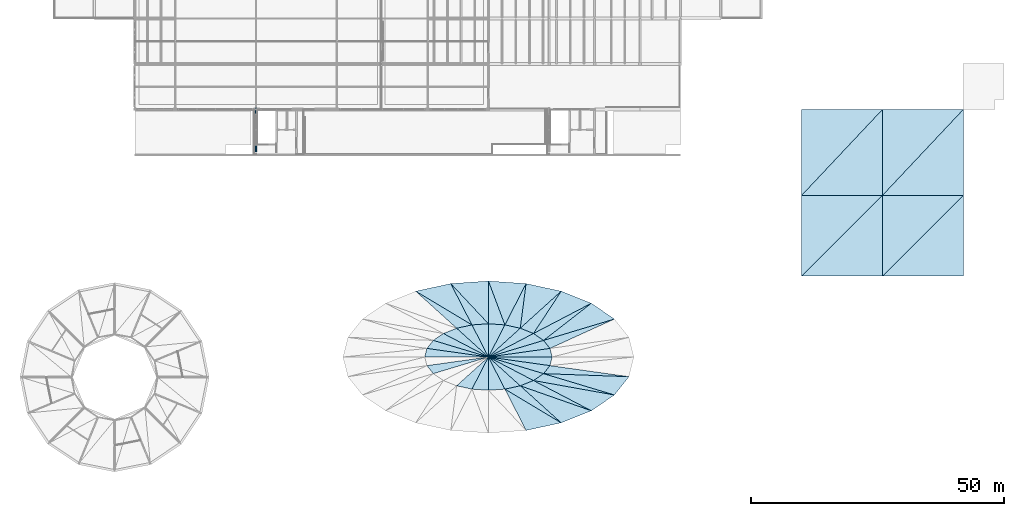
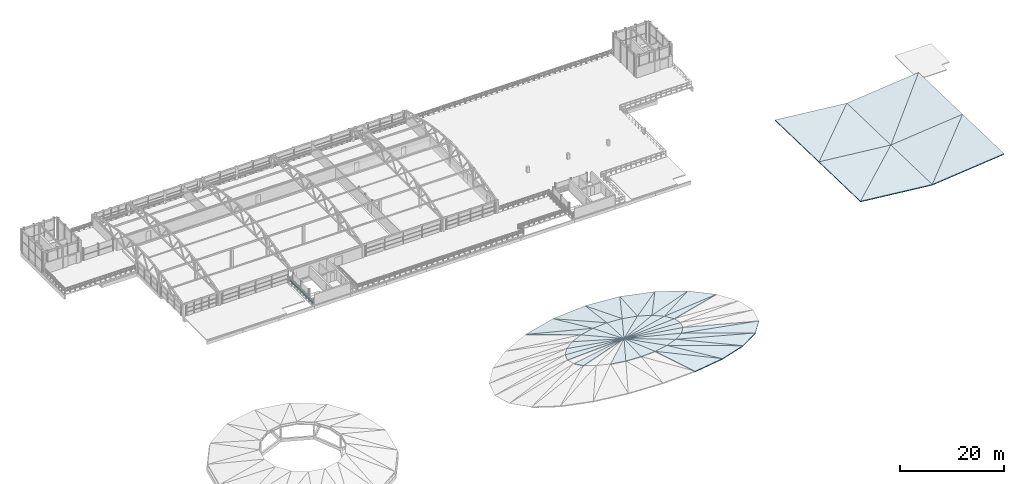
# One storey, part 41 of 50: 50 roofs, 1 discrete accessory.
"""IFC4 building model written with IfcOpenShell, lengths in metres."""

from ifc_helpers import new_model, si_unit, derived_unit, direction, frame, origin, origin_2d, place, context, subcontext, project, spatial, rectangle, extrude, polygons, material, layer, layer_set, type_object, element, save


model = new_model("IFC4")

# Units and contexts
model_context = context("Model", 3, precision=1e-05, world=origin(), true_north=direction((0.0, 1.0)))
body_context = subcontext(model_context, "Body", "Model", "MODEL_VIEW")
ifc_project = project(units=[si_unit("LENGTHUNIT", "METRE"), si_unit("AREAUNIT", "SQUARE_METRE"), si_unit("VOLUMEUNIT", "CUBIC_METRE"), si_unit("PLANEANGLEUNIT", "RADIAN"), si_unit("MASSUNIT", "GRAM", prefix="KILO"), si_unit("THERMODYNAMICTEMPERATUREUNIT", "KELVIN"), derived_unit("THERMALTRANSMITTANCEUNIT", [(si_unit("POWERUNIT", "WATT"), 1), (si_unit("AREAUNIT", "SQUARE_METRE"), -1), (si_unit("THERMODYNAMICTEMPERATUREUNIT", "KELVIN"), -1)])], contexts=[model_context])

# Site, building, storey
site_placement = place(None, origin())
site = spatial("IfcSite", under=ifc_project, at=site_placement, CompositionType="ELEMENT")
building_placement = place(site_placement, origin())
building = spatial("IfcBuilding", under=site, at=building_placement, Name="Haiyu Intermodal Mobility Hub", CompositionType="ELEMENT")
storey_placement = place(building_placement, frame((0.0, 0.0, 25.10009765625)))
storey = spatial("IfcBuildingStorey", under=building, at=storey_placement, Name="L06", CompositionType="ELEMENT", Elevation=25.10009765625)

# Roofs
ifc_material = material(Name="Steel Q355C", Category="steel")
ifc_layer_1 = layer(ifc_material, 0.219970703125)
ifc_layer_set_1 = layer_set([ifc_layer_1], Name="Steel Q355C")
roof_type_1 = type_object("IfcRoofType", Name="ROF-RF01", PredefinedType="FREEFORM", material=ifc_layer_set_1)
roof_1_placement = place(storey_placement, origin())
element("IfcRoof", 1, at=roof_1_placement, inside=storey, type_object=roof_type_1, Name="Saddle Cable-Net Roof Panel 001", PredefinedType="FREEFORM", context=body_context, shape_type="Tessellation", body=[
    polygons([(108.0, 64.0, -0.150146484375), (120.60009765625, 64.0, -0.7890625), (120.1708984375, 65.702880859375, -0.76416015625), (108.0, 64.0, 0.0498046875), (120.60009765625, 64.0, -0.589111328125), (120.1708984375, 65.702880859375, -0.564208984375)], [[[3, 2, 1]], [[4, 5, 6]], [[1, 2, 5, 4]], [[2, 3, 6, 5]], [[3, 1, 4, 6]]], closed=True),
])
roof_2_placement = place(storey_placement, origin())
element("IfcRoof", 2, at=roof_2_placement, inside=storey, type_object=roof_type_1, Name="Saddle Cable-Net Roof Panel 002", PredefinedType="FREEFORM", context=body_context, shape_type="Tessellation", body=[
    polygons([(108.0, 64.0, -0.150146484375), (120.1708984375, 65.702880859375, -0.76416015625), (118.912109375, 67.2900390625, -0.695068359375), (108.0, 64.0, 0.0498046875), (120.1708984375, 65.702880859375, -0.564208984375), (118.912109375, 67.2900390625, -0.4951171875)], [[[3, 2, 1]], [[4, 5, 6]], [[1, 2, 5, 4]], [[2, 3, 6, 5]], [[3, 1, 4, 6]]], closed=True),
])
roof_3_placement = place(storey_placement, origin())
element("IfcRoof", 3, at=roof_3_placement, inside=storey, type_object=roof_type_1, Name="Saddle Cable-Net Roof Panel 003", PredefinedType="FREEFORM", context=body_context, shape_type="Tessellation", body=[
    polygons([(108.0, 64.0, -0.150146484375), (118.912109375, 67.2900390625, -0.695068359375), (116.909912109375, 68.653076171875, -0.60107421875), (108.0, 64.0, 0.0498046875), (118.912109375, 67.2900390625, -0.4951171875), (116.909912109375, 68.653076171875, -0.401123046875)], [[[3, 2, 1]], [[4, 5, 6]], [[1, 2, 5, 4]], [[2, 3, 6, 5]], [[3, 1, 4, 6]]], closed=True),
])
roof_4_placement = place(storey_placement, origin())
element("IfcRoof", 4, at=roof_4_placement, inside=storey, type_object=roof_type_1, Name="Saddle Cable-Net Roof Panel 004", PredefinedType="FREEFORM", context=body_context, shape_type="Tessellation", body=[
    polygons([(108.0, 64.0, -0.150146484375), (116.909912109375, 68.653076171875, -0.60107421875), (114.300048828125, 69.697998046875, -0.507080078125), (108.0, 64.0, 0.0498046875), (116.909912109375, 68.653076171875, -0.401123046875), (114.300048828125, 69.697998046875, -0.30712890625)], [[[3, 2, 1]], [[4, 5, 6]], [[1, 2, 5, 4]], [[2, 3, 6, 5]], [[3, 1, 4, 6]]], closed=True),
])
roof_5_placement = place(storey_placement, origin())
element("IfcRoof", 5, at=roof_5_placement, inside=storey, type_object=roof_type_1, Name="Saddle Cable-Net Roof Panel 005", PredefinedType="FREEFORM", context=body_context, shape_type="Tessellation", body=[
    polygons([(108.0, 64.0, -0.150146484375), (114.300048828125, 69.697998046875, -0.507080078125), (111.260986328125, 70.35595703125, -0.43798828125), (108.0, 64.0, 0.0498046875), (114.300048828125, 69.697998046875, -0.30712890625), (111.260986328125, 70.35595703125, -0.238037109375)], [[[3, 2, 1]], [[4, 5, 6]], [[1, 2, 5, 4]], [[2, 3, 6, 5]], [[3, 1, 4, 6]]], closed=True),
])
roof_6_placement = place(storey_placement, origin())
element("IfcRoof", 6, at=roof_6_placement, inside=storey, type_object=roof_type_1, Name="Saddle Cable-Net Roof Panel 006", PredefinedType="FREEFORM", context=body_context, shape_type="Tessellation", body=[
    polygons([(108.0, 64.0, -0.150146484375), (111.260986328125, 70.35595703125, -0.43798828125), (108.0, 70.580078125, -0.4130859375), (108.0, 64.0, 0.0498046875), (111.260986328125, 70.35595703125, -0.238037109375), (108.0, 70.580078125, -0.213134765625)], [[[3, 2, 1]], [[4, 5, 6]], [[1, 2, 5, 4]], [[2, 3, 6, 5]], [[3, 1, 4, 6]]], closed=True),
])
roof_7_placement = place(storey_placement, origin())
element("IfcRoof", 7, at=roof_7_placement, inside=storey, type_object=roof_type_1, Name="Saddle Cable-Net Roof Panel 007", PredefinedType="FREEFORM", context=body_context, shape_type="Tessellation", body=[
    polygons([(108.0, 64.0, -0.150146484375), (108.0, 70.580078125, -0.4130859375), (104.739013671875, 70.35595703125, -0.43798828125), (108.0, 64.0, 0.0498046875), (108.0, 70.580078125, -0.213134765625), (104.739013671875, 70.35595703125, -0.238037109375)], [[[3, 2, 1]], [[4, 5, 6]], [[1, 2, 5, 4]], [[2, 3, 6, 5]], [[3, 1, 4, 6]]], closed=True),
])
roof_8_placement = place(storey_placement, origin())
element("IfcRoof", 8, at=roof_8_placement, inside=storey, type_object=roof_type_1, Name="Saddle Cable-Net Roof Panel 008", PredefinedType="FREEFORM", context=body_context, shape_type="Tessellation", body=[
    polygons([(108.0, 64.0, -0.150146484375), (104.739013671875, 70.35595703125, -0.43798828125), (101.699951171875, 69.697998046875, -0.507080078125), (108.0, 64.0, 0.0498046875), (104.739013671875, 70.35595703125, -0.238037109375), (101.699951171875, 69.697998046875, -0.30712890625)], [[[3, 2, 1]], [[4, 5, 6]], [[1, 2, 5, 4]], [[2, 3, 6, 5]], [[3, 1, 4, 6]]], closed=True),
])
roof_9_placement = place(storey_placement, origin())
element("IfcRoof", 9, at=roof_9_placement, inside=storey, type_object=roof_type_1, Name="Saddle Cable-Net Roof Panel 009", PredefinedType="FREEFORM", context=body_context, shape_type="Tessellation", body=[
    polygons([(108.0, 64.0, -0.150146484375), (101.699951171875, 69.697998046875, -0.507080078125), (99.090087890625, 68.653076171875, -0.60107421875), (108.0, 64.0, 0.0498046875), (101.699951171875, 69.697998046875, -0.30712890625), (99.090087890625, 68.653076171875, -0.401123046875)], [[[3, 2, 1]], [[4, 5, 6]], [[1, 2, 5, 4]], [[2, 3, 6, 5]], [[3, 1, 4, 6]]], closed=True),
])
roof_10_placement = place(storey_placement, origin())
element("IfcRoof", 10, at=roof_10_placement, inside=storey, type_object=roof_type_1, Name="Saddle Cable-Net Roof Panel 010", PredefinedType="FREEFORM", context=body_context, shape_type="Tessellation", body=[
    polygons([(108.0, 64.0, -0.150146484375), (99.090087890625, 68.653076171875, -0.60107421875), (97.087890625, 67.2900390625, -0.695068359375), (108.0, 64.0, 0.0498046875), (99.090087890625, 68.653076171875, -0.401123046875), (97.087890625, 67.2900390625, -0.4951171875)], [[[3, 2, 1]], [[4, 5, 6]], [[1, 2, 5, 4]], [[2, 3, 6, 5]], [[3, 1, 4, 6]]], closed=True),
])
roof_11_placement = place(storey_placement, origin())
element("IfcRoof", 11, at=roof_11_placement, inside=storey, type_object=roof_type_1, Name="Saddle Cable-Net Roof Panel 011", PredefinedType="FREEFORM", context=body_context, shape_type="Tessellation", body=[
    polygons([(108.0, 64.0, -0.150146484375), (97.087890625, 67.2900390625, -0.695068359375), (95.8291015625, 65.702880859375, -0.76416015625), (108.0, 64.0, 0.0498046875), (97.087890625, 67.2900390625, -0.4951171875), (95.8291015625, 65.702880859375, -0.564208984375)], [[[3, 2, 1]], [[4, 5, 6]], [[1, 2, 5, 4]], [[2, 3, 6, 5]], [[3, 1, 4, 6]]], closed=True),
])
roof_12_placement = place(storey_placement, origin())
element("IfcRoof", 12, at=roof_12_placement, inside=storey, type_object=roof_type_1, Name="Saddle Cable-Net Roof Panel 012", PredefinedType="FREEFORM", context=body_context, shape_type="Tessellation", body=[
    polygons([(108.0, 64.0, -0.150146484375), (95.8291015625, 65.702880859375, -0.76416015625), (95.39990234375, 64.0, -0.7890625), (108.0, 64.0, 0.0498046875), (95.8291015625, 65.702880859375, -0.564208984375), (95.39990234375, 64.0, -0.589111328125)], [[[3, 2, 1]], [[4, 5, 6]], [[1, 2, 5, 4]], [[2, 3, 6, 5]], [[3, 1, 4, 6]]], closed=True),
])
roof_13_placement = place(storey_placement, origin())
element("IfcRoof", 13, at=roof_13_placement, inside=storey, type_object=roof_type_1, Name="Saddle Cable-Net Roof Panel 014", PredefinedType="FREEFORM", context=body_context, shape_type="Tessellation", body=[
    polygons([(108.0, 64.0, -0.150146484375), (95.8291015625, 62.297119140625, -0.76416015625), (97.087890625, 60.7099609375, -0.695068359375), (108.0, 64.0, 0.0498046875), (95.8291015625, 62.297119140625, -0.564208984375), (97.087890625, 60.7099609375, -0.4951171875)], [[[3, 2, 1]], [[4, 5, 6]], [[1, 2, 5, 4]], [[2, 3, 6, 5]], [[3, 1, 4, 6]]], closed=True),
])
roof_14_placement = place(storey_placement, origin())
element("IfcRoof", 14, at=roof_14_placement, inside=storey, type_object=roof_type_1, Name="Saddle Cable-Net Roof Panel 017", PredefinedType="FREEFORM", context=body_context, shape_type="Tessellation", body=[
    polygons([(108.0, 64.0, -0.150146484375), (101.699951171875, 58.302001953125, -0.507080078125), (104.739013671875, 57.64404296875, -0.43798828125), (108.0, 64.0, 0.0498046875), (101.699951171875, 58.302001953125, -0.30712890625), (104.739013671875, 57.64404296875, -0.238037109375)], [[[3, 2, 1]], [[4, 5, 6]], [[1, 2, 5, 4]], [[2, 3, 6, 5]], [[3, 1, 4, 6]]], closed=True),
])
roof_15_placement = place(storey_placement, origin())
element("IfcRoof", 15, at=roof_15_placement, inside=storey, type_object=roof_type_1, Name="Saddle Cable-Net Roof Panel 018", PredefinedType="FREEFORM", context=body_context, shape_type="Tessellation", body=[
    polygons([(108.0, 64.0, -0.150146484375), (104.739013671875, 57.64404296875, -0.43798828125), (108.0, 57.419921875, -0.4130859375), (108.0, 64.0, 0.0498046875), (104.739013671875, 57.64404296875, -0.238037109375), (108.0, 57.419921875, -0.213134765625)], [[[3, 2, 1]], [[4, 5, 6]], [[1, 2, 5, 4]], [[2, 3, 6, 5]], [[3, 1, 4, 6]]], closed=True),
])
roof_16_placement = place(storey_placement, origin())
element("IfcRoof", 16, at=roof_16_placement, inside=storey, type_object=roof_type_1, Name="Saddle Cable-Net Roof Panel 019", PredefinedType="FREEFORM", context=body_context, shape_type="Tessellation", body=[
    polygons([(108.0, 64.0, -0.150146484375), (108.0, 57.419921875, -0.4130859375), (111.260986328125, 57.64404296875, -0.43798828125), (108.0, 64.0, 0.0498046875), (108.0, 57.419921875, -0.213134765625), (111.260986328125, 57.64404296875, -0.238037109375)], [[[3, 2, 1]], [[4, 5, 6]], [[1, 2, 5, 4]], [[2, 3, 6, 5]], [[3, 1, 4, 6]]], closed=True),
])
roof_17_placement = place(storey_placement, origin())
element("IfcRoof", 17, at=roof_17_placement, inside=storey, type_object=roof_type_1, Name="Saddle Cable-Net Roof Panel 020", PredefinedType="FREEFORM", context=body_context, shape_type="Tessellation", body=[
    polygons([(108.0, 64.0, -0.150146484375), (111.260986328125, 57.64404296875, -0.43798828125), (114.300048828125, 58.302001953125, -0.507080078125), (108.0, 64.0, 0.0498046875), (111.260986328125, 57.64404296875, -0.238037109375), (114.300048828125, 58.302001953125, -0.30712890625)], [[[3, 2, 1]], [[4, 5, 6]], [[1, 2, 5, 4]], [[2, 3, 6, 5]], [[3, 1, 4, 6]]], closed=True),
])
roof_18_placement = place(storey_placement, origin())
element("IfcRoof", 18, at=roof_18_placement, inside=storey, type_object=roof_type_1, Name="Saddle Cable-Net Roof Panel 021", PredefinedType="FREEFORM", context=body_context, shape_type="Tessellation", body=[
    polygons([(108.0, 64.0, -0.150146484375), (114.300048828125, 58.302001953125, -0.507080078125), (116.909912109375, 59.346923828125, -0.60107421875), (108.0, 64.0, 0.0498046875), (114.300048828125, 58.302001953125, -0.30712890625), (116.909912109375, 59.346923828125, -0.401123046875)], [[[3, 2, 1]], [[4, 5, 6]], [[1, 2, 5, 4]], [[2, 3, 6, 5]], [[3, 1, 4, 6]]], closed=True),
])
roof_19_placement = place(storey_placement, origin())
element("IfcRoof", 19, at=roof_19_placement, inside=storey, type_object=roof_type_1, Name="Saddle Cable-Net Roof Panel 022", PredefinedType="FREEFORM", context=body_context, shape_type="Tessellation", body=[
    polygons([(108.0, 64.0, -0.150146484375), (116.909912109375, 59.346923828125, -0.60107421875), (118.912109375, 60.7099609375, -0.695068359375), (108.0, 64.0, 0.0498046875), (116.909912109375, 59.346923828125, -0.401123046875), (118.912109375, 60.7099609375, -0.4951171875)], [[[3, 2, 1]], [[4, 5, 6]], [[1, 2, 5, 4]], [[2, 3, 6, 5]], [[3, 1, 4, 6]]], closed=True),
])
roof_20_placement = place(storey_placement, origin())
element("IfcRoof", 20, at=roof_20_placement, inside=storey, type_object=roof_type_1, Name="Saddle Cable-Net Roof Panel 023", PredefinedType="FREEFORM", context=body_context, shape_type="Tessellation", body=[
    polygons([(108.0, 64.0, -0.150146484375), (118.912109375, 60.7099609375, -0.695068359375), (120.1708984375, 62.297119140625, -0.76416015625), (108.0, 64.0, 0.0498046875), (118.912109375, 60.7099609375, -0.4951171875), (120.1708984375, 62.297119140625, -0.564208984375)], [[[3, 2, 1]], [[4, 5, 6]], [[1, 2, 5, 4]], [[2, 3, 6, 5]], [[3, 1, 4, 6]]], closed=True),
])
roof_21_placement = place(storey_placement, origin())
element("IfcRoof", 21, at=roof_21_placement, inside=storey, type_object=roof_type_1, Name="Saddle Cable-Net Roof Panel 024", PredefinedType="FREEFORM", context=body_context, shape_type="Tessellation", body=[
    polygons([(108.0, 64.0, -0.150146484375), (120.1708984375, 62.297119140625, -0.76416015625), (120.60009765625, 64.0, -0.7890625), (108.0, 64.0, 0.0498046875), (120.1708984375, 62.297119140625, -0.564208984375), (120.60009765625, 64.0, -0.589111328125)], [[[3, 2, 1]], [[4, 5, 6]], [[1, 2, 5, 4]], [[2, 3, 6, 5]], [[3, 1, 4, 6]]], closed=True),
])
roof_22_placement = place(storey_placement, origin())
element("IfcRoof", 22, at=roof_22_placement, inside=storey, type_object=roof_type_1, Name="Saddle Cable-Net Roof Panel 028", PredefinedType="FREEFORM", context=body_context, shape_type="Tessellation", body=[
    polygons([(120.1708984375, 65.702880859375, -0.76416015625), (132.94189453125, 71.52001953125, -2.9970703125), (118.912109375, 67.2900390625, -0.695068359375), (120.1708984375, 65.702880859375, -0.564208984375), (132.94189453125, 71.52001953125, -2.797119140625), (118.912109375, 67.2900390625, -0.4951171875)], [[[3, 2, 1]], [[4, 5, 6]], [[1, 2, 5, 4]], [[2, 3, 6, 5]], [[3, 1, 4, 6]]], closed=True),
])
roof_23_placement = place(storey_placement, origin())
element("IfcRoof", 23, at=roof_23_placement, inside=storey, type_object=roof_type_1, Name="Saddle Cable-Net Roof Panel 029", PredefinedType="FREEFORM", context=body_context, shape_type="Tessellation", body=[
    polygons([(118.912109375, 67.2900390625, -0.695068359375), (132.94189453125, 71.52001953125, -2.9970703125), (128.364990234375, 74.635009765625, -2.505126953125), (118.912109375, 67.2900390625, -0.4951171875), (132.94189453125, 71.52001953125, -2.797119140625), (128.364990234375, 74.635009765625, -2.30517578125)], [[[3, 2, 1]], [[4, 5, 6]], [[1, 2, 5, 4]], [[2, 3, 6, 5]], [[3, 1, 4, 6]]], closed=True),
])
roof_24_placement = place(storey_placement, origin())
element("IfcRoof", 24, at=roof_24_placement, inside=storey, type_object=roof_type_1, Name="Saddle Cable-Net Roof Panel 030", PredefinedType="FREEFORM", context=body_context, shape_type="Tessellation", body=[
    polygons([(118.912109375, 67.2900390625, -0.695068359375), (128.364990234375, 74.635009765625, -2.505126953125), (116.909912109375, 68.653076171875, -0.60107421875), (118.912109375, 67.2900390625, -0.4951171875), (128.364990234375, 74.635009765625, -2.30517578125), (116.909912109375, 68.653076171875, -0.401123046875)], [[[3, 2, 1]], [[4, 5, 6]], [[1, 2, 5, 4]], [[2, 3, 6, 5]], [[3, 1, 4, 6]]], closed=True),
])
roof_25_placement = place(storey_placement, origin())
element("IfcRoof", 25, at=roof_25_placement, inside=storey, type_object=roof_type_1, Name="Saddle Cable-Net Roof Panel 031", PredefinedType="FREEFORM", context=body_context, shape_type="Tessellation", body=[
    polygons([(116.909912109375, 68.653076171875, -0.60107421875), (128.364990234375, 74.635009765625, -2.505126953125), (122.39990234375, 77.02490234375, -2.01416015625), (116.909912109375, 68.653076171875, -0.401123046875), (128.364990234375, 74.635009765625, -2.30517578125), (122.39990234375, 77.02490234375, -1.814208984375)], [[[3, 2, 1]], [[4, 5, 6]], [[1, 2, 5, 4]], [[2, 3, 6, 5]], [[3, 1, 4, 6]]], closed=True),
])
roof_26_placement = place(storey_placement, origin())
element("IfcRoof", 26, at=roof_26_placement, inside=storey, type_object=roof_type_1, Name="Saddle Cable-Net Roof Panel 032", PredefinedType="FREEFORM", context=body_context, shape_type="Tessellation", body=[
    polygons([(116.909912109375, 68.653076171875, -0.60107421875), (122.39990234375, 77.02490234375, -2.01416015625), (114.300048828125, 69.697998046875, -0.507080078125), (116.909912109375, 68.653076171875, -0.401123046875), (122.39990234375, 77.02490234375, -1.814208984375), (114.300048828125, 69.697998046875, -0.30712890625)], [[[3, 2, 1]], [[4, 5, 6]], [[1, 2, 5, 4]], [[2, 3, 6, 5]], [[3, 1, 4, 6]]], closed=True),
])
roof_27_placement = place(storey_placement, origin())
element("IfcRoof", 27, at=roof_27_placement, inside=storey, type_object=roof_type_1, Name="Saddle Cable-Net Roof Panel 033", PredefinedType="FREEFORM", context=body_context, shape_type="Tessellation", body=[
    polygons([(114.300048828125, 69.697998046875, -0.507080078125), (122.39990234375, 77.02490234375, -2.01416015625), (115.4541015625, 78.528076171875, -1.654052734375), (114.300048828125, 69.697998046875, -0.30712890625), (122.39990234375, 77.02490234375, -1.814208984375), (115.4541015625, 78.528076171875, -1.4541015625)], [[[3, 2, 1]], [[4, 5, 6]], [[1, 2, 5, 4]], [[2, 3, 6, 5]], [[3, 1, 4, 6]]], closed=True),
])
roof_28_placement = place(storey_placement, origin())
element("IfcRoof", 28, at=roof_28_placement, inside=storey, type_object=roof_type_1, Name="Saddle Cable-Net Roof Panel 034", PredefinedType="FREEFORM", context=body_context, shape_type="Tessellation", body=[
    polygons([(114.300048828125, 69.697998046875, -0.507080078125), (115.4541015625, 78.528076171875, -1.654052734375), (111.260986328125, 70.35595703125, -0.43798828125), (114.300048828125, 69.697998046875, -0.30712890625), (115.4541015625, 78.528076171875, -1.4541015625), (111.260986328125, 70.35595703125, -0.238037109375)], [[[3, 2, 1]], [[4, 5, 6]], [[1, 2, 5, 4]], [[2, 3, 6, 5]], [[3, 1, 4, 6]]], closed=True),
])
roof_29_placement = place(storey_placement, origin())
element("IfcRoof", 29, at=roof_29_placement, inside=storey, type_object=roof_type_1, Name="Saddle Cable-Net Roof Panel 035", PredefinedType="FREEFORM", context=body_context, shape_type="Tessellation", body=[
    polygons([(111.260986328125, 70.35595703125, -0.43798828125), (115.4541015625, 78.528076171875, -1.654052734375), (108.0, 79.0400390625, -1.522216796875), (111.260986328125, 70.35595703125, -0.238037109375), (115.4541015625, 78.528076171875, -1.4541015625), (108.0, 79.0400390625, -1.322021484375)], [[[3, 2, 1]], [[4, 5, 6]], [[1, 2, 5, 4]], [[2, 3, 6, 5]], [[3, 1, 4, 6]]], closed=True),
])
roof_30_placement = place(storey_placement, origin())
element("IfcRoof", 30, at=roof_30_placement, inside=storey, type_object=roof_type_1, Name="Saddle Cable-Net Roof Panel 036", PredefinedType="FREEFORM", context=body_context, shape_type="Tessellation", body=[
    polygons([(111.260986328125, 70.35595703125, -0.43798828125), (108.0, 79.0400390625, -1.522216796875), (108.0, 70.580078125, -0.4130859375), (111.260986328125, 70.35595703125, -0.238037109375), (108.0, 79.0400390625, -1.322021484375), (108.0, 70.580078125, -0.213134765625)], [[[3, 2, 1]], [[4, 5, 6]], [[1, 2, 5, 4]], [[2, 3, 6, 5]], [[3, 1, 4, 6]]], closed=True),
])
roof_31_placement = place(storey_placement, origin())
element("IfcRoof", 31, at=roof_31_placement, inside=storey, type_object=roof_type_1, Name="Saddle Cable-Net Roof Panel 037", PredefinedType="FREEFORM", context=body_context, shape_type="Tessellation", body=[
    polygons([(108.0, 70.580078125, -0.4130859375), (108.0, 79.0400390625, -1.522216796875), (100.5458984375, 78.528076171875, -1.654052734375), (108.0, 70.580078125, -0.213134765625), (108.0, 79.0400390625, -1.322021484375), (100.5458984375, 78.528076171875, -1.4541015625)], [[[3, 2, 1]], [[4, 5, 6]], [[1, 2, 5, 4]], [[2, 3, 6, 5]], [[3, 1, 4, 6]]], closed=True),
])
roof_32_placement = place(storey_placement, origin())
element("IfcRoof", 32, at=roof_32_placement, inside=storey, type_object=roof_type_1, Name="Saddle Cable-Net Roof Panel 038", PredefinedType="FREEFORM", context=body_context, shape_type="Tessellation", body=[
    polygons([(108.0, 70.580078125, -0.4130859375), (100.5458984375, 78.528076171875, -1.654052734375), (104.739013671875, 70.35595703125, -0.43798828125), (108.0, 70.580078125, -0.213134765625), (100.5458984375, 78.528076171875, -1.4541015625), (104.739013671875, 70.35595703125, -0.238037109375)], [[[3, 2, 1]], [[4, 5, 6]], [[1, 2, 5, 4]], [[2, 3, 6, 5]], [[3, 1, 4, 6]]], closed=True),
])
roof_33_placement = place(storey_placement, origin())
element("IfcRoof", 33, at=roof_33_placement, inside=storey, type_object=roof_type_1, Name="Saddle Cable-Net Roof Panel 039", PredefinedType="FREEFORM", context=body_context, shape_type="Tessellation", body=[
    polygons([(104.739013671875, 70.35595703125, -0.43798828125), (100.5458984375, 78.528076171875, -1.654052734375), (93.60009765625, 77.02490234375, -2.01416015625), (104.739013671875, 70.35595703125, -0.238037109375), (100.5458984375, 78.528076171875, -1.4541015625), (93.60009765625, 77.02490234375, -1.814208984375)], [[[3, 2, 1]], [[4, 5, 6]], [[1, 2, 5, 4]], [[2, 3, 6, 5]], [[3, 1, 4, 6]]], closed=True),
])
roof_34_placement = place(storey_placement, origin())
element("IfcRoof", 34, at=roof_34_placement, inside=storey, type_object=roof_type_1, Name="Saddle Cable-Net Roof Panel 040", PredefinedType="FREEFORM", context=body_context, shape_type="Tessellation", body=[
    polygons([(104.739013671875, 70.35595703125, -0.43798828125), (93.60009765625, 77.02490234375, -2.01416015625), (101.699951171875, 69.697998046875, -0.507080078125), (104.739013671875, 70.35595703125, -0.238037109375), (93.60009765625, 77.02490234375, -1.814208984375), (101.699951171875, 69.697998046875, -0.30712890625)], [[[3, 2, 1]], [[4, 5, 6]], [[1, 2, 5, 4]], [[2, 3, 6, 5]], [[3, 1, 4, 6]]], closed=True),
])
roof_35_placement = place(storey_placement, origin())
element("IfcRoof", 35, at=roof_35_placement, inside=storey, type_object=roof_type_1, Name="Saddle Cable-Net Roof Panel 063", PredefinedType="FREEFORM", context=body_context, shape_type="Tessellation", body=[
    polygons([(111.260986328125, 57.64404296875, -0.43798828125), (115.4541015625, 49.471923828125, -1.654052734375), (122.39990234375, 50.97509765625, -2.01416015625), (111.260986328125, 57.64404296875, -0.238037109375), (115.4541015625, 49.471923828125, -1.4541015625), (122.39990234375, 50.97509765625, -1.814208984375)], [[[3, 2, 1]], [[4, 5, 6]], [[1, 2, 5, 4]], [[2, 3, 6, 5]], [[3, 1, 4, 6]]], closed=True),
])
roof_36_placement = place(storey_placement, origin())
element("IfcRoof", 36, at=roof_36_placement, inside=storey, type_object=roof_type_1, Name="Saddle Cable-Net Roof Panel 064", PredefinedType="FREEFORM", context=body_context, shape_type="Tessellation", body=[
    polygons([(111.260986328125, 57.64404296875, -0.43798828125), (122.39990234375, 50.97509765625, -2.01416015625), (114.300048828125, 58.302001953125, -0.507080078125), (111.260986328125, 57.64404296875, -0.238037109375), (122.39990234375, 50.97509765625, -1.814208984375), (114.300048828125, 58.302001953125, -0.30712890625)], [[[3, 2, 1]], [[4, 5, 6]], [[1, 2, 5, 4]], [[2, 3, 6, 5]], [[3, 1, 4, 6]]], closed=True),
])
roof_37_placement = place(storey_placement, origin())
element("IfcRoof", 37, at=roof_37_placement, inside=storey, type_object=roof_type_1, Name="Saddle Cable-Net Roof Panel 065", PredefinedType="FREEFORM", context=body_context, shape_type="Tessellation", body=[
    polygons([(114.300048828125, 58.302001953125, -0.507080078125), (122.39990234375, 50.97509765625, -2.01416015625), (128.364990234375, 53.364990234375, -2.505126953125), (114.300048828125, 58.302001953125, -0.30712890625), (122.39990234375, 50.97509765625, -1.814208984375), (128.364990234375, 53.364990234375, -2.30517578125)], [[[3, 2, 1]], [[4, 5, 6]], [[1, 2, 5, 4]], [[2, 3, 6, 5]], [[3, 1, 4, 6]]], closed=True),
])
roof_38_placement = place(storey_placement, origin())
element("IfcRoof", 38, at=roof_38_placement, inside=storey, type_object=roof_type_1, Name="Saddle Cable-Net Roof Panel 066", PredefinedType="FREEFORM", context=body_context, shape_type="Tessellation", body=[
    polygons([(114.300048828125, 58.302001953125, -0.507080078125), (128.364990234375, 53.364990234375, -2.505126953125), (116.909912109375, 59.346923828125, -0.60107421875), (114.300048828125, 58.302001953125, -0.30712890625), (128.364990234375, 53.364990234375, -2.30517578125), (116.909912109375, 59.346923828125, -0.401123046875)], [[[3, 2, 1]], [[4, 5, 6]], [[1, 2, 5, 4]], [[2, 3, 6, 5]], [[3, 1, 4, 6]]], closed=True),
])
roof_39_placement = place(storey_placement, origin())
element("IfcRoof", 39, at=roof_39_placement, inside=storey, type_object=roof_type_1, Name="Saddle Cable-Net Roof Panel 067", PredefinedType="FREEFORM", context=body_context, shape_type="Tessellation", body=[
    polygons([(116.909912109375, 59.346923828125, -0.60107421875), (128.364990234375, 53.364990234375, -2.505126953125), (132.94189453125, 56.47998046875, -2.9970703125), (116.909912109375, 59.346923828125, -0.401123046875), (128.364990234375, 53.364990234375, -2.30517578125), (132.94189453125, 56.47998046875, -2.797119140625)], [[[3, 2, 1]], [[4, 5, 6]], [[1, 2, 5, 4]], [[2, 3, 6, 5]], [[3, 1, 4, 6]]], closed=True),
])
roof_40_placement = place(storey_placement, origin())
element("IfcRoof", 40, at=roof_40_placement, inside=storey, type_object=roof_type_1, Name="Saddle Cable-Net Roof Panel 068", PredefinedType="FREEFORM", context=body_context, shape_type="Tessellation", body=[
    polygons([(116.909912109375, 59.346923828125, -0.60107421875), (132.94189453125, 56.47998046875, -2.9970703125), (118.912109375, 60.7099609375, -0.695068359375), (116.909912109375, 59.346923828125, -0.401123046875), (132.94189453125, 56.47998046875, -2.797119140625), (118.912109375, 60.7099609375, -0.4951171875)], [[[3, 2, 1]], [[4, 5, 6]], [[1, 2, 5, 4]], [[2, 3, 6, 5]], [[3, 1, 4, 6]]], closed=True),
])
roof_41_placement = place(storey_placement, origin())
element("IfcRoof", 41, at=roof_41_placement, inside=storey, type_object=roof_type_1, Name="Saddle Cable-Net Roof Panel 069", PredefinedType="FREEFORM", context=body_context, shape_type="Tessellation", body=[
    polygons([(118.912109375, 60.7099609375, -0.695068359375), (132.94189453125, 56.47998046875, -2.9970703125), (135.819091796875, 60.10693359375, -3.357177734375), (118.912109375, 60.7099609375, -0.4951171875), (132.94189453125, 56.47998046875, -2.797119140625), (135.819091796875, 60.10693359375, -3.156982421875)], [[[3, 2, 1]], [[4, 5, 6]], [[1, 2, 5, 4]], [[2, 3, 6, 5]], [[3, 1, 4, 6]]], closed=True),
])
roof_42_placement = place(storey_placement, origin())
element("IfcRoof", 42, at=roof_42_placement, inside=storey, type_object=roof_type_1, Name="Saddle Cable-Net Roof Panel 070", PredefinedType="FREEFORM", context=body_context, shape_type="Tessellation", body=[
    polygons([(118.912109375, 60.7099609375, -0.695068359375), (135.819091796875, 60.10693359375, -3.357177734375), (120.1708984375, 62.297119140625, -0.76416015625), (118.912109375, 60.7099609375, -0.4951171875), (135.819091796875, 60.10693359375, -3.156982421875), (120.1708984375, 62.297119140625, -0.564208984375)], [[[3, 2, 1]], [[4, 5, 6]], [[1, 2, 5, 4]], [[2, 3, 6, 5]], [[3, 1, 4, 6]]], closed=True),
])
ifc_layer_2 = layer(ifc_material, 0.260009765625)
ifc_layer_set_2 = layer_set([ifc_layer_2], Name="Steel Q355C")
roof_type_2 = type_object("IfcRoofType", Name="ROF-RF03", PredefinedType="SHED_ROOF", material=ifc_layer_set_2)
roof_43_placement = place(storey_placement, origin())
element("IfcRoof", 43, at=roof_43_placement, inside=storey, type_object=roof_type_2, Name="Mobility Service Hall Butterfly Roof 01", PredefinedType="SHED_ROOF", context=body_context, shape_type="Tessellation", body=[
    polygons([(170.0, 80.0, 0.849853515625), (186.0, 80.0, -0.800048828125), (186.0, 96.0, -1.212158203125), (170.0, 80.0, 1.0498046875), (186.0, 80.0, -0.60009765625), (186.0, 96.0, -1.01220703125)], [[[3, 2, 1]], [[4, 5, 6]], [[1, 2, 5, 4]], [[2, 3, 6, 5]], [[3, 1, 4, 6]]], closed=True),
])
roof_44_placement = place(storey_placement, origin())
element("IfcRoof", 44, at=roof_44_placement, inside=storey, type_object=roof_type_2, Name="Mobility Service Hall Butterfly Roof 02", PredefinedType="SHED_ROOF", context=body_context, shape_type="Tessellation", body=[
    polygons([(170.0, 80.0, 0.849853515625), (186.0, 96.0, -1.212158203125), (170.0, 96.0, 0.43798828125), (170.0, 80.0, 1.0498046875), (186.0, 96.0, -1.01220703125), (170.0, 96.0, 0.637939453125)], [[[3, 2, 1]], [[4, 5, 6]], [[1, 2, 5, 4]], [[2, 3, 6, 5]], [[3, 1, 4, 6]]], closed=True),
])
roof_45_placement = place(storey_placement, origin())
element("IfcRoof", 45, at=roof_45_placement, inside=storey, type_object=roof_type_2, Name="Mobility Service Hall Butterfly Roof 03", PredefinedType="SHED_ROOF", context=body_context, shape_type="Tessellation", body=[
    polygons([(170.0, 96.0, 0.43798828125), (186.0, 96.0, -1.212158203125), (186.0, 113.0, -1.650146484375), (170.0, 96.0, 0.637939453125), (186.0, 96.0, -1.01220703125), (186.0, 113.0, -1.4501953125)], [[[3, 2, 1]], [[4, 5, 6]], [[1, 2, 5, 4]], [[2, 3, 6, 5]], [[3, 1, 4, 6]]], closed=True),
])
roof_46_placement = place(storey_placement, origin())
element("IfcRoof", 46, at=roof_46_placement, inside=storey, type_object=roof_type_2, Name="Mobility Service Hall Butterfly Roof 04", PredefinedType="SHED_ROOF", context=body_context, shape_type="Tessellation", body=[
    polygons([(170.0, 96.0, 0.43798828125), (186.0, 113.0, -1.650146484375), (170.0, 113.0, 0.0), (170.0, 96.0, 0.637939453125), (186.0, 113.0, -1.4501953125), (170.0, 113.0, 0.199951171875)], [[[3, 2, 1]], [[4, 5, 6]], [[1, 2, 5, 4]], [[2, 3, 6, 5]], [[3, 1, 4, 6]]], closed=True),
])
roof_47_placement = place(storey_placement, origin())
element("IfcRoof", 47, at=roof_47_placement, inside=storey, type_object=roof_type_2, Name="Mobility Service Hall Butterfly Roof 05", PredefinedType="SHED_ROOF", context=body_context, shape_type="Tessellation", body=[
    polygons([(186.0, 80.0, -0.800048828125), (202.0, 80.0, 0.849853515625), (202.0, 96.0, 0.43798828125), (186.0, 80.0, -0.60009765625), (202.0, 80.0, 1.0498046875), (202.0, 96.0, 0.637939453125)], [[[3, 2, 1]], [[4, 5, 6]], [[1, 2, 5, 4]], [[2, 3, 6, 5]], [[3, 1, 4, 6]]], closed=True),
])
roof_48_placement = place(storey_placement, origin())
element("IfcRoof", 48, at=roof_48_placement, inside=storey, type_object=roof_type_2, Name="Mobility Service Hall Butterfly Roof 06", PredefinedType="SHED_ROOF", context=body_context, shape_type="Tessellation", body=[
    polygons([(186.0, 80.0, -0.800048828125), (202.0, 96.0, 0.43798828125), (186.0, 96.0, -1.212158203125), (186.0, 80.0, -0.60009765625), (202.0, 96.0, 0.637939453125), (186.0, 96.0, -1.01220703125)], [[[3, 2, 1]], [[4, 5, 6]], [[1, 2, 5, 4]], [[2, 3, 6, 5]], [[3, 1, 4, 6]]], closed=True),
])
roof_49_placement = place(storey_placement, origin())
element("IfcRoof", 49, at=roof_49_placement, inside=storey, type_object=roof_type_2, Name="Mobility Service Hall Butterfly Roof 07", PredefinedType="SHED_ROOF", context=body_context, shape_type="Tessellation", body=[
    polygons([(186.0, 96.0, -1.212158203125), (202.0, 96.0, 0.43798828125), (202.0, 113.0, 0.0), (186.0, 96.0, -1.01220703125), (202.0, 96.0, 0.637939453125), (202.0, 113.0, 0.199951171875)], [[[3, 2, 1]], [[4, 5, 6]], [[1, 2, 5, 4]], [[2, 3, 6, 5]], [[3, 1, 4, 6]]], closed=True),
])
roof_50_placement = place(storey_placement, origin())
element("IfcRoof", 50, at=roof_50_placement, inside=storey, type_object=roof_type_2, Name="Mobility Service Hall Butterfly Roof 08", PredefinedType="SHED_ROOF", context=body_context, shape_type="Tessellation", body=[
    polygons([(186.0, 96.0, -1.212158203125), (202.0, 113.0, 0.0), (186.0, 113.0, -1.650146484375), (186.0, 96.0, -1.01220703125), (202.0, 113.0, 0.199951171875), (186.0, 113.0, -1.4501953125)], [[[3, 2, 1]], [[4, 5, 6]], [[1, 2, 5, 4]], [[2, 3, 6, 5]], [[3, 1, 4, 6]]], closed=True),
])

# Discrete accessory
discrete_accessory_type = type_object("IfcDiscreteAccessoryType", Name="ACC-BK02", PredefinedType="BRACKET", material=ifc_material)
discrete_accessory_placement = place(storey_placement, frame((62.0, 108.97509765625, -0.0302734375), z_axis=(0.0, 0.0, 1.0), x_axis=(1.0, 0.0, 0.0)))
element("IfcDiscreteAccessory", 51, at=discrete_accessory_placement, inside=storey, type_object=discrete_accessory_type, Name="BRK-CPAR-C5-W", PredefinedType="BRACKET", context=body_context, shape_type="SweptSolid", body=[
    extrude(rectangle(XDim=0.239990234375, YDim=8.75, at=origin_2d()), origin(), (0.0, 0.0, 1.0), 0.139892578125),
])

save(model, "model.ifc")
